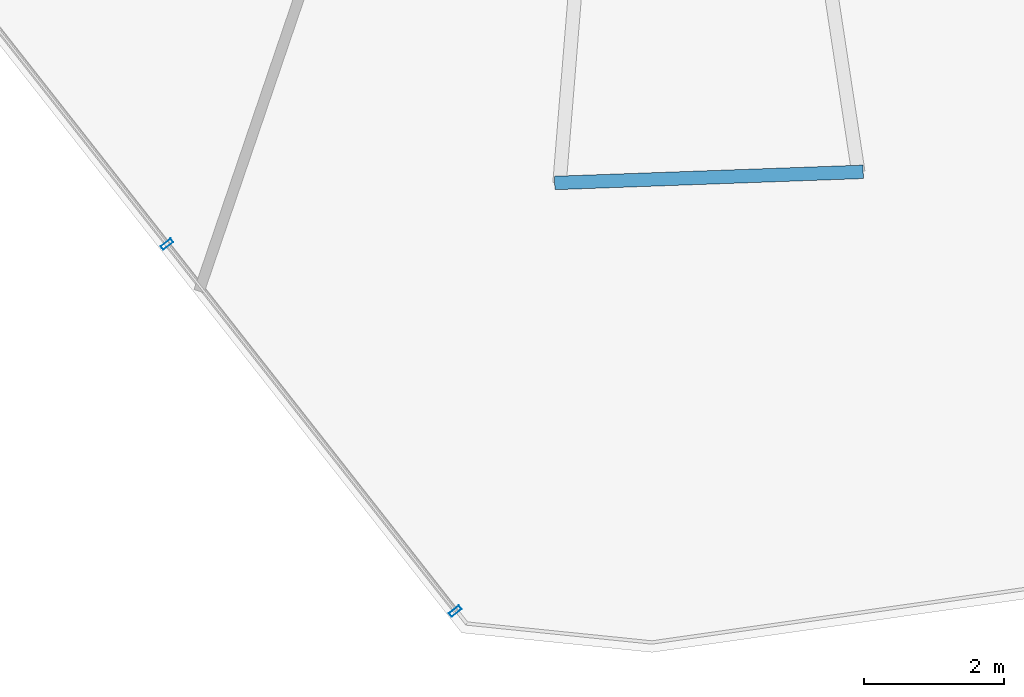
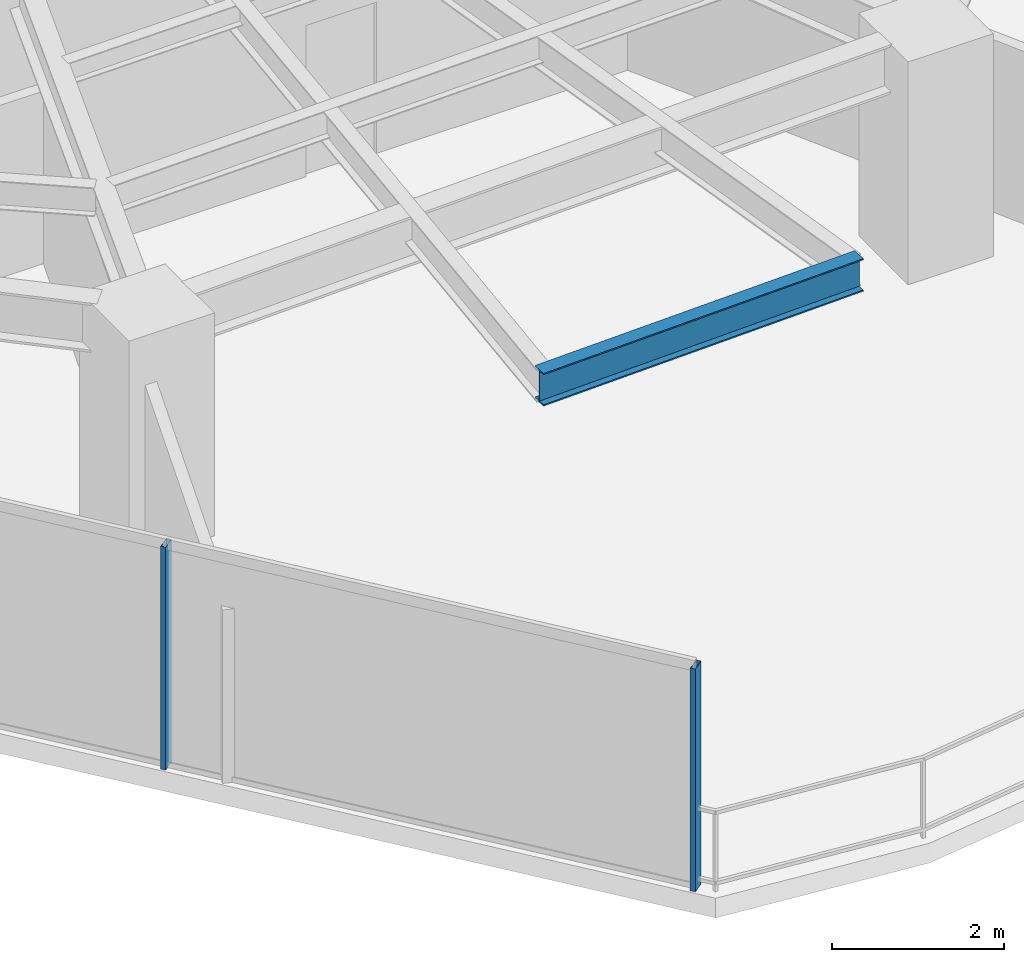
# One storey, part 5 of 29: 2 members, 1 beam, 1 element without a shape of its own.
"""IFC4 building model written with IfcOpenShell, lengths in metres."""

from ifc_helpers import new_model, si_unit, direction, frame, origin, origin_2d, place, context, subcontext, project, spatial, hollow_rectangle, i_section, extrude, material, layer, layer_set, material_profile, profile_set, type_object, element, aggregate, save


model = new_model("IFC4")

# Units and contexts
model_context = context("Model", 3, precision=1e-05, world=origin(), true_north=direction((0.0, 1.0)))
body_context = subcontext(model_context, "Body", "Model", "MODEL_VIEW")
ifc_project = project(units=[si_unit("LENGTHUNIT", "METRE"), si_unit("AREAUNIT", "SQUARE_METRE"), si_unit("VOLUMEUNIT", "CUBIC_METRE"), si_unit("PLANEANGLEUNIT", "RADIAN"), si_unit("MASSUNIT", "GRAM", prefix="KILO")], contexts=[model_context])

# Site, building, storey
site_placement = place(None, origin())
site = spatial("IfcSite", under=ifc_project, at=site_placement, CompositionType="ELEMENT")
building_placement = place(site_placement, origin())
building = spatial("IfcBuilding", under=site, at=building_placement, Name="Qarnah Convention Tower", CompositionType="ELEMENT")
storey_placement = place(building_placement, frame((0.0, 0.0, 97.050048828125)))
storey = spatial("IfcBuildingStorey", under=building, at=storey_placement, Name="L25", CompositionType="ELEMENT", Elevation=97.050048828125)

# Beam
ifc_material_1 = material(Name="Structural steel S355JR", Category="steel")
ifc_material_profile_1 = material_profile(ifc_material_1, i_section(OverallWidth=0.19189453125, OverallDepth=0.464111328125, WebThickness=0.010986328125, FlangeThickness=0.01806640625, at=origin_2d()), Name="W460X89")
ifc_profile_set_1 = profile_set([ifc_material_profile_1], Name="Structural steel S355JR")
beam_type = type_object("IfcBeamType", Name="BM-CANT-W460A", PredefinedType="BEAM", material=ifc_profile_set_1)
beam_placement = place(storey_placement, frame((40.035888671875, 8.2109375, 2.93798828125), z_axis=(-0.999347061952, -0.036131008404, 0.0), x_axis=(0.036131008404, -0.999347061952, 0.0)))
element("IfcBeam", 1, at=beam_placement, inside=storey, type_object=beam_type, Name="L25 spandrel BM-L25-CTIE-03", PredefinedType="SPANDREL", context=body_context, shape_type="SweptSolid", body=[
    extrude(i_section(OverallWidth=0.19189453125, OverallDepth=0.464111328125, WebThickness=0.010986328125, FlangeThickness=0.01806640625, at=origin_2d()), origin(), (0.0, 0.0, 1.0), 4.39892578125),
])

# Curtain wall, members
ifc_material_2 = material(Name="Tempered Low-E dark glass", Category="glass")
ifc_layer = layer(ifc_material_2, 0.169921875)
ifc_layer_set = layer_set([ifc_layer], Name="Tempered Low-E dark glass")
curtain_wall_type = type_object("IfcCurtainWallType", Name="CWS-02", PredefinedType="NOTDEFINED", material=ifc_layer_set)
curtain_wall_placement = place(storey_placement, origin())
curtain_wall = element("IfcCurtainWall", 2, at=curtain_wall_placement, inside=storey, type_object=curtain_wall_type, Name="L25 unitised curtain wall CW-L25-F3", PredefinedType="NOTDEFINED")
ifc_material_3 = material(Name="Black anodised aluminium", Category="aluminium")
ifc_material_profile_2 = material_profile(ifc_material_3, hollow_rectangle(XDim=0.06494140625, YDim=0.179931640625, WallThickness=0.00390625, at=origin_2d()), Name="MUL-65X180")
ifc_profile_set_2 = profile_set([ifc_material_profile_2], Name="Black anodised aluminium")
member_type = type_object("IfcMemberType", Name="MUL-T2", PredefinedType="MULLION", material=ifc_profile_set_2)
member_1_placement = place(storey_placement, frame((34.22412109375, 1.951904296875, 0.0), z_axis=(0.0, 0.0, 1.0), x_axis=(-0.617870701473, 0.786279718841, 0.0)))
member_1 = element("IfcMember", 3, at=member_1_placement, type_object=member_type, Name="CW-L25-F3 mullion 1", PredefinedType="MULLION", context=body_context, shape_type="SweptSolid", body=[
    extrude(hollow_rectangle(XDim=0.06494140625, YDim=0.179931640625, WallThickness=0.00390625, at=origin_2d()), origin(), (0.0, 0.0, 1.0), 3.169921875),
])
member_2_placement = place(storey_placement, frame((30.115478515625, 7.18017578125, 0.0), z_axis=(0.0, 0.0, 1.0), x_axis=(-0.617870701473, 0.786279718841, 0.0)))
member_2 = element("IfcMember", 4, at=member_2_placement, type_object=member_type, Name="CW-L25-F3 mullion 2", PredefinedType="MULLION", context=body_context, shape_type="SweptSolid", body=[
    extrude(hollow_rectangle(XDim=0.06494140625, YDim=0.179931640625, WallThickness=0.00390625, at=origin_2d()), origin(), (0.0, 0.0, 1.0), 3.169921875),
])
aggregate(curtain_wall, [member_1, member_2])

save(model, "model.ifc")
